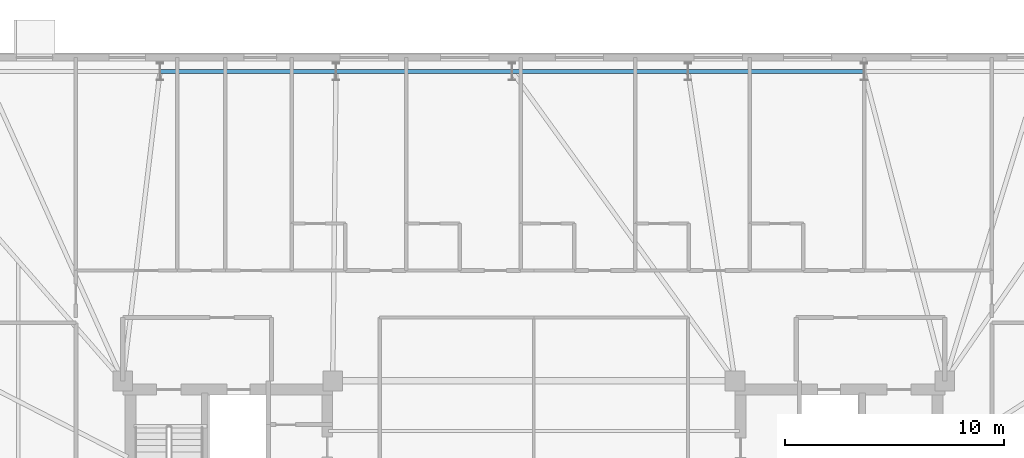
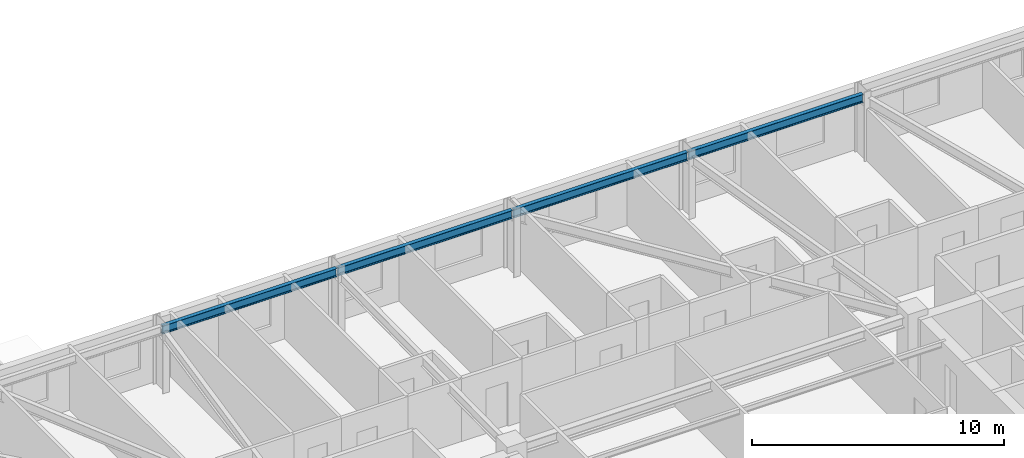
# One storey, part 8 of 17: 4 beams.
"""IFC4 building model written with IfcOpenShell, lengths in metres."""

from ifc_helpers import new_model, si_unit, direction, frame, origin, origin_2d, place, context, subcontext, project, spatial, i_section, extrude, material, material_profile, profile_set, type_object, element, save


model = new_model("IFC4")

# Units and contexts
model_context = context("Model", 3, precision=1e-05, world=origin(), true_north=direction((0.0, 1.0)))
body_context = subcontext(model_context, "Body", "Model", "MODEL_VIEW")
ifc_project = project(units=[si_unit("LENGTHUNIT", "METRE"), si_unit("AREAUNIT", "SQUARE_METRE"), si_unit("VOLUMEUNIT", "CUBIC_METRE"), si_unit("PLANEANGLEUNIT", "RADIAN"), si_unit("MASSUNIT", "GRAM", prefix="KILO")], contexts=[model_context])

# Site, building, storey
site_placement = place(None, origin())
site = spatial("IfcSite", under=ifc_project, at=site_placement, CompositionType="ELEMENT")
building_placement = place(site_placement, origin())
building = spatial("IfcBuilding", under=site, at=building_placement, Name="Qobustan Lattice House", CompositionType="ELEMENT")
storey_placement = place(building_placement, frame((0.0, 0.0, 144.39990234375)))
storey = spatial("IfcBuildingStorey", under=building, at=storey_placement, Name="L40", CompositionType="ELEMENT", Elevation=144.39990234375)

# Beams
ifc_material = material(Name="Steel S355", Category="steel")
ifc_material_profile = material_profile(ifc_material, i_section(OverallWidth=0.179931640625, OverallDepth=0.39990234375, WebThickness=0.008544921875, FlangeThickness=0.013427734375, FilletRadius=0.02099609375, at=origin_2d()), Name="IPE400")
ifc_profile_set = profile_set([ifc_material_profile], Name="Steel S355")
beam_type = type_object("IfcBeamType", Name="BM-SPD-IPE400", PredefinedType="SPANDREL", material=ifc_profile_set)
for number, where, z_axis, x_axis, name in (
    (1, (15.074951171875, 19.75, 2.840087890625), (-1.0, 0.0, 0.0), (0.0, -1.0, 0.0), "L40 perimeter spandrel N2-N3"),
    (2, (7.02490234375, 19.75, 2.840087890625), (-1.0, 0.0, 0.0), (0.0, -1.0, 0.0), "L40 perimeter spandrel N3-N4"),
    (3, (-1.02490234375, 19.75, 2.840087890625), (-1.0, 0.0, 0.0), (0.0, -1.0, 0.0), "L40 perimeter spandrel N4-N5"),
    (4, (-9.074951171875, 19.75, 2.840087890625), (-1.0, 0.0, 0.0), (0.0, -1.0, 0.0), "L40 perimeter spandrel N5-N6"),
):
    element("IfcBeam", number, at=place(storey_placement, frame(where, z_axis=z_axis, x_axis=x_axis)), inside=storey, type_object=beam_type, Name=name, PredefinedType="SPANDREL", context=body_context, shape_type="SweptSolid", body=[
        extrude(i_section(OverallWidth=0.179931640625, OverallDepth=0.39990234375, WebThickness=0.008544921875, FlangeThickness=0.013427734375, FilletRadius=0.02099609375, at=origin_2d()), origin(), (0.0, 0.0, 1.0), 8.0),
    ])

save(model, "model.ifc")
